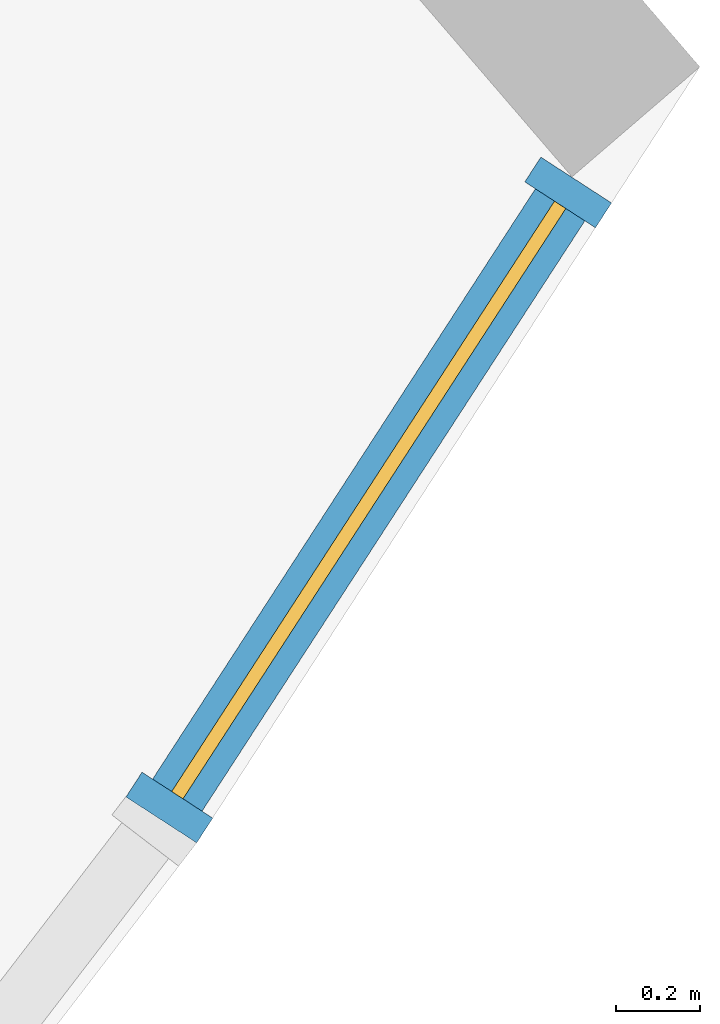
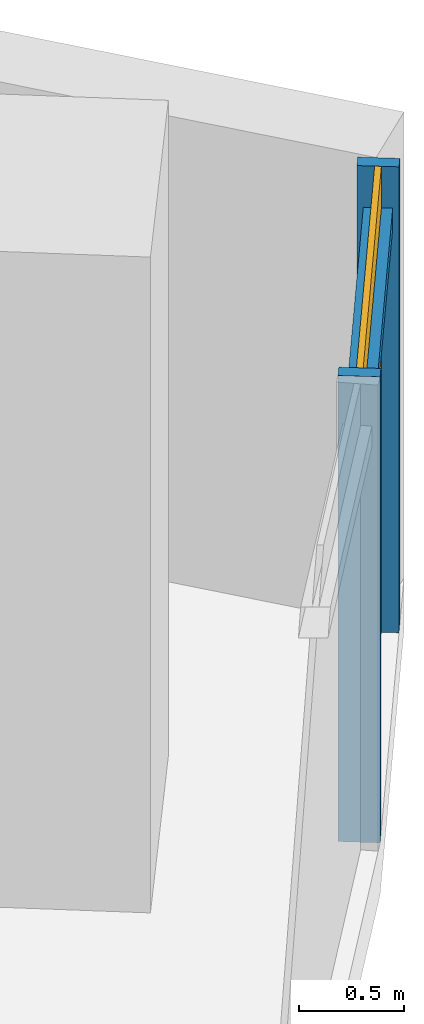
# One storey, part 23 of 31: 3 members, 1 curtain wall.
"""IFC4 building model written with IfcOpenShell, lengths in metres."""

import ifcopenshell
import ifcopenshell.guid

model = None  # the IFC model being written
_history = None  # IfcOwnerHistory: only IFC2X3 demands one
_inside = {}  # id of a spatial element -> (the spatial element, [elements in it])
_under = {}  # id of a project, library or spatial element -> (it, [spatial elements below it])
_declared = {}  # id of a project -> (the project, [libraries it declares])
_typed = {}  # id of a type object -> (the type object, [elements of that type])
_made_of = {}  # id of a material, layer set ... -> (it, [elements and type objects made of it])


def new_model(schema):
    """Start an empty IFC model of exactly this schema.

    Asked for "IFC4X3", IfcOpenShell would pick the latest addendum, in which some entities
    have other attributes; the version numbers below select the first issue.
    IFC2X3 requires an IfcOwnerHistory on every rooted entity: one is made here for all.
    """
    global model, _history
    if schema == "IFC4X3":
        model = ifcopenshell.file(schema_version=(4, 3, 0, 0))
    else:
        model = ifcopenshell.file(schema=schema)
    _inside.clear()
    _under.clear()
    _declared.clear()
    _typed.clear()
    _made_of.clear()
    _history = None
    if model.schema == "IFC2X3":
        org = make("IfcOrganization", Name="unknown")
        user = make(
            "IfcPersonAndOrganization",
            ThePerson=make("IfcPerson", FamilyName="unknown"),
            TheOrganization=org,
        )
        app = make(
            "IfcApplication",
            ApplicationDeveloper=org,
            Version="unknown",
            ApplicationFullName="unknown",
            ApplicationIdentifier="unknown",
        )
        _history = make(
            "IfcOwnerHistory",
            OwningUser=user,
            OwningApplication=app,
            ChangeAction="ADDED",
            CreationDate=0,
        )
    return model


def make(cls, **values):
    """One entity of the class cls with the attributes given. An attribute that is None is left unset."""
    return model.create_entity(
        cls, **{name: value for name, value in values.items() if value is not None}
    )


def rooted(cls, **values):
    """An entity with a GlobalId (a new one), such as an element, a storey or a relation."""
    return make(cls, GlobalId=ifcopenshell.guid.new(), OwnerHistory=_history, **values)


def si_unit(unit_type, name, prefix=None):
    """IfcSIUnit, for example si_unit("LENGTHUNIT", "METRE", prefix="MILLI")."""
    return make("IfcSIUnit", UnitType=unit_type, Prefix=prefix, Name=name)


def assignment(units):
    """IfcUnitAssignment: the units of a project."""
    return None if units is None else make("IfcUnitAssignment", Units=units)


def point(xyz):
    """IfcCartesianPoint."""
    return None if xyz is None else make("IfcCartesianPoint", Coordinates=xyz)


def direction(xyz):
    """IfcDirection."""
    return None if xyz is None else make("IfcDirection", DirectionRatios=xyz)


def frame(location, z_axis=None, x_axis=None):
    """IfcAxis2Placement3D, a coordinate frame: its origin and axes. An axis left out is left unset."""
    return make(
        "IfcAxis2Placement3D",
        Location=point(location),
        Axis=direction(z_axis),
        RefDirection=direction(x_axis),
    )


def frame_2d(location, x_axis=None):
    """IfcAxis2Placement2D, a coordinate frame in the plane: its origin and x axis."""
    return make(
        "IfcAxis2Placement2D", Location=point(location), RefDirection=direction(x_axis)
    )


def origin():
    """The frame at (0, 0, 0) with its axes left unset."""
    return frame((0.0, 0.0, 0.0))


def origin_2d():
    """The frame at (0, 0) in the plane with its x axis left unset."""
    return frame_2d((0.0, 0.0))


def place(relative_to, where):
    """IfcLocalPlacement: puts the frame where relative to a parent placement (None: the world)."""
    return make(
        "IfcLocalPlacement", PlacementRelTo=relative_to, RelativePlacement=where
    )


def context(
    kind, dimensions, precision=None, world=None, true_north=None, identifier=None
):
    """IfcGeometricRepresentationContext, for example the 3D "Model" context."""
    return make(
        "IfcGeometricRepresentationContext",
        ContextIdentifier=identifier,
        ContextType=kind,
        CoordinateSpaceDimension=dimensions,
        Precision=precision,
        WorldCoordinateSystem=world,
        TrueNorth=true_north,
    )


def subcontext(parent, identifier, kind, view, scale=None):
    """IfcGeometricRepresentationSubContext, for example "Body" below "Model"."""
    return make(
        "IfcGeometricRepresentationSubContext",
        ContextIdentifier=identifier,
        ContextType=kind,
        ParentContext=parent,
        TargetScale=scale,
        TargetView=view,
    )


def project(units=None, contexts=None):
    """IfcProject with its units and contexts."""
    return rooted(
        "IfcProject",
        Name="project",
        RepresentationContexts=contexts,
        UnitsInContext=assignment(units),
    )


def spatial(cls, under=None, at=None, **own):
    """A site, building, storey or space (cls), placed at a placement, below another one or the project."""
    s = rooted(cls, ObjectPlacement=at, **own)
    if under is not None:
        _under.setdefault(under.id(), (under, []))[1].append(s)
    return s


def profile(cls, at=None, kind="AREA", **sizes):
    """A parametric profile (cls). Its sizes go by their IFC names, for example OverallWidth=200.0."""
    return make(cls, ProfileType=kind, Position=at, **sizes)


def rectangle(**sizes):
    """IfcRectangleProfileDef."""
    return profile("IfcRectangleProfileDef", **sizes)


def extrude(swept, where, along, depth):
    """IfcExtrudedAreaSolid: the profile swept, set in the frame where, extruded along a direction by depth."""
    return make(
        "IfcExtrudedAreaSolid",
        SweptArea=swept,
        Position=where,
        ExtrudedDirection=direction(along),
        Depth=depth,
    )


def shape(context_of_items, identifier, shape_type, items):
    """IfcShapeRepresentation: the items that make up one representation, for example the "Body"."""
    return make(
        "IfcShapeRepresentation",
        ContextOfItems=context_of_items,
        RepresentationIdentifier=identifier,
        RepresentationType=shape_type,
        Items=items,
    )


def material(Name=None, Category=None):
    """IfcMaterial."""
    return make("IfcMaterial", Name=Name, Category=Category)


def material_profile(
    of_material, cross_section, Name=None, Category=None, Priority=None
):
    """IfcMaterialProfile: a cross section and its material."""
    return make(
        "IfcMaterialProfile",
        Name=Name,
        Material=of_material,
        Profile=cross_section,
        Priority=Priority,
        Category=Category,
    )


def profile_set(profiles, Name=None, composite=None):
    """IfcMaterialProfileSet."""
    return make(
        "IfcMaterialProfileSet",
        Name=Name,
        MaterialProfiles=profiles,
        CompositeProfile=composite,
    )


def made_of(thing, what):
    """Note that an element or type object is made of a material, layer set ...; save() writes the relation."""
    if what is not None:
        _made_of.setdefault(what.id(), (what, []))[1].append(thing)
    return thing


def type_object(cls, material=None, **own):
    """A type object (cls), such as IfcWallType, which elements share."""
    return made_of(rooted(cls, **own), material)


def element(
    cls,
    number,
    at=None,
    inside=None,
    cuts=None,
    type_object=None,
    material=None,
    context=None,
    identifier="Body",
    shape_type=None,
    held_by="IfcProductDefinitionShape",
    body=None,
    shapes=None,
    **own,
):
    """One element of the class cls, such as IfcWall. Its Tag is "e" and its number.

    at: its placement. inside: the storey or other place that contains it. cuts: it is an
    opening in that element (IfcRelVoidsElement). A single representation is given by context,
    identifier, shape_type and body (its items); several are given by shapes. held_by: the class
    of the entity that holds the representations. save() writes the other relations.
    """
    e = rooted(cls, Tag="e%d" % number, ObjectPlacement=at, **own)
    if body is not None:
        shapes = [shape(context, identifier, shape_type, body)]
    if shapes is not None:
        e.Representation = make(held_by, Representations=shapes)
    if inside is not None:
        _inside.setdefault(inside.id(), (inside, []))[1].append(e)
    if cuts is not None:
        rooted(
            "IfcRelVoidsElement", RelatingBuildingElement=cuts, RelatedOpeningElement=e
        )
    if type_object is not None:
        _typed.setdefault(type_object.id(), (type_object, []))[1].append(e)
    return made_of(e, material)


def aggregate(whole, parts):
    """IfcRelAggregates: a whole, such as a stair, and the parts it consists of."""
    return rooted("IfcRelAggregates", RelatingObject=whole, RelatedObjects=parts)


def save(model, path):
    """Write the relations noted so far, then the file.

    IfcRelAggregates (storeys below a building ...), IfcRelContainedInSpatialStructure (elements
    in a storey), IfcRelDefinesByType, IfcRelAssociatesMaterial and IfcRelDeclares: one each for
    every whole, place, type object, material and project.
    """
    for whole, parts in _under.values():
        aggregate(whole, parts)
    for where, things in _inside.values():
        rooted(
            "IfcRelContainedInSpatialStructure",
            RelatedElements=things,
            RelatingStructure=where,
        )
    for kind, things in _typed.values():
        rooted("IfcRelDefinesByType", RelatedObjects=things, RelatingType=kind)
    for what, things in _made_of.values():
        rooted("IfcRelAssociatesMaterial", RelatedObjects=things, RelatingMaterial=what)
    for by, libraries in _declared.values():
        rooted("IfcRelDeclares", RelatingContext=by, RelatedDefinitions=libraries)
    model.write(path)


model = new_model("IFC4")

# Units and contexts
model_context = context("Model", 3, precision=1e-05, world=origin(), true_north=direction((0.0, 1.0)))
body_context = subcontext(model_context, "Body", "Model", "MODEL_VIEW")
ifc_project = project(units=[si_unit("LENGTHUNIT", "METRE"), si_unit("AREAUNIT", "SQUARE_METRE"), si_unit("VOLUMEUNIT", "CUBIC_METRE"), si_unit("PLANEANGLEUNIT", "RADIAN"), si_unit("MASSUNIT", "GRAM", prefix="KILO")], contexts=[model_context])

# Member
ifc_material = material(Name="Aluminium 6063-T6 anodised", Category="aluminium")
ifc_material_profile_1 = material_profile(ifc_material, rectangle(XDim=0.199951171875, YDim=0.070068359375, at=origin_2d()))
ifc_profile_set_1 = profile_set([ifc_material_profile_1], Name="Aluminium 6063-T6 anodised")
member_type_1 = type_object("IfcMemberType", Name="Mullion 70 x 200 aluminium", PredefinedType="MULLION", material=ifc_profile_set_1)
site_placement = place(None, origin())
building_placement = place(site_placement, origin())
storey_placement = place(building_placement, frame((0.0, 0.0, 51.89990234375)))
member_1_placement = place(storey_placement, frame((66.16162109375, -44.16748046875, 0.0), z_axis=(0.0, 0.0, 1.0), x_axis=(-0.839046620581, 0.544059526607, 0.0)))
member_1 = element("IfcMember", 1, at=member_1_placement, type_object=member_type_1, Name="e-cw1-L09-out16/M00", PredefinedType="MULLION", context=body_context, shape_type="SweptSolid", body=[
    extrude(rectangle(XDim=0.199951171875, YDim=0.070068359375, at=origin_2d()), origin(), (0.0, 0.0, 1.0), 2.7001953125),
])

member_2_placement = place(storey_placement, frame((67.1083984375, -42.707275390625, 0.0), z_axis=(0.0, 0.0, 1.0), x_axis=(-0.839046620581, 0.544059526607, 0.0)))
member_2 = element("IfcMember", 2, at=member_2_placement, type_object=member_type_1, Name="e-cw1-L09-out16/M01", PredefinedType="MULLION", context=body_context, shape_type="SweptSolid", body=[
    extrude(rectangle(XDim=0.199951171875, YDim=0.070068359375, at=origin_2d()), origin(), (0.0, 0.0, 1.0), 2.7001953125),
])

ifc_material_profile_2 = material_profile(ifc_material, rectangle(XDim=0.139892578125, YDim=0.1201171875, at=origin_2d()))
ifc_profile_set_2 = profile_set([ifc_material_profile_2], Name="Aluminium 6063-T6 anodised")
member_type_2 = type_object("IfcMemberType", Name="Transom 120 x 140 aluminium", PredefinedType="USERDEFINED", material=ifc_profile_set_2)
member_3_placement = place(storey_placement, frame((66.1806640625, -44.137939453125, 2.400146484375), z_axis=(0.544063186293, 0.839044247534, 0.0), x_axis=(-0.839044247534, 0.544063186293, 0.0)))
member_3 = element("IfcMember", 3, at=member_3_placement, type_object=member_type_2, Name="e-cw1-L09-out16/T00", ObjectType="TRANSOM", PredefinedType="USERDEFINED", context=body_context, shape_type="SweptSolid", body=[
    extrude(rectangle(XDim=0.139892578125, YDim=0.1201171875, at=origin_2d()), origin(), (0.0, 0.0, 1.0), 1.670166015625),
])

# Site, building, storey
site = spatial("IfcSite", under=ifc_project, at=site_placement, CompositionType="ELEMENT")
building = spatial("IfcBuilding", under=site, at=building_placement, Name="Qamariyya Broadcast Tower", CompositionType="ELEMENT")
storey = spatial("IfcBuildingStorey", under=building, at=storey_placement, Name="L09", CompositionType="ELEMENT", Elevation=51.89990234375)

# Curtain wall
curtain_wall_type = type_object("IfcCurtainWallType", Name="Unitised curtain wall, anodised aluminium", PredefinedType="NOTDEFINED", material=ifc_material)
curtain_wall_placement = place(storey_placement, origin())
curtain_wall = element("IfcCurtainWall", 4, at=curtain_wall_placement, inside=storey, type_object=curtain_wall_type, Name="e-cw1-L09-out16", PredefinedType="NOTDEFINED", context=body_context, shape_type="SweptSolid", body=[
    extrude(rectangle(XDim=1.670166015625, YDim=0.031982421875, at=origin_2d()), frame((66.635009765625, -43.4375, 0.0), x_axis=(0.54407307817, 0.839037833241, 0.0)), (0.0, 0.0, 1.0), 2.340087890625),
    extrude(rectangle(XDim=1.670166015625, YDim=0.031982421875, at=origin_2d()), frame((66.635009765625, -43.4375, 2.460205078125), x_axis=(0.54407307817, 0.839037833241, 0.0)), (0.0, 0.0, 1.0), 0.239990234375),
])

aggregate(curtain_wall, [member_1, member_2, member_3])

save(model, "model.ifc")
